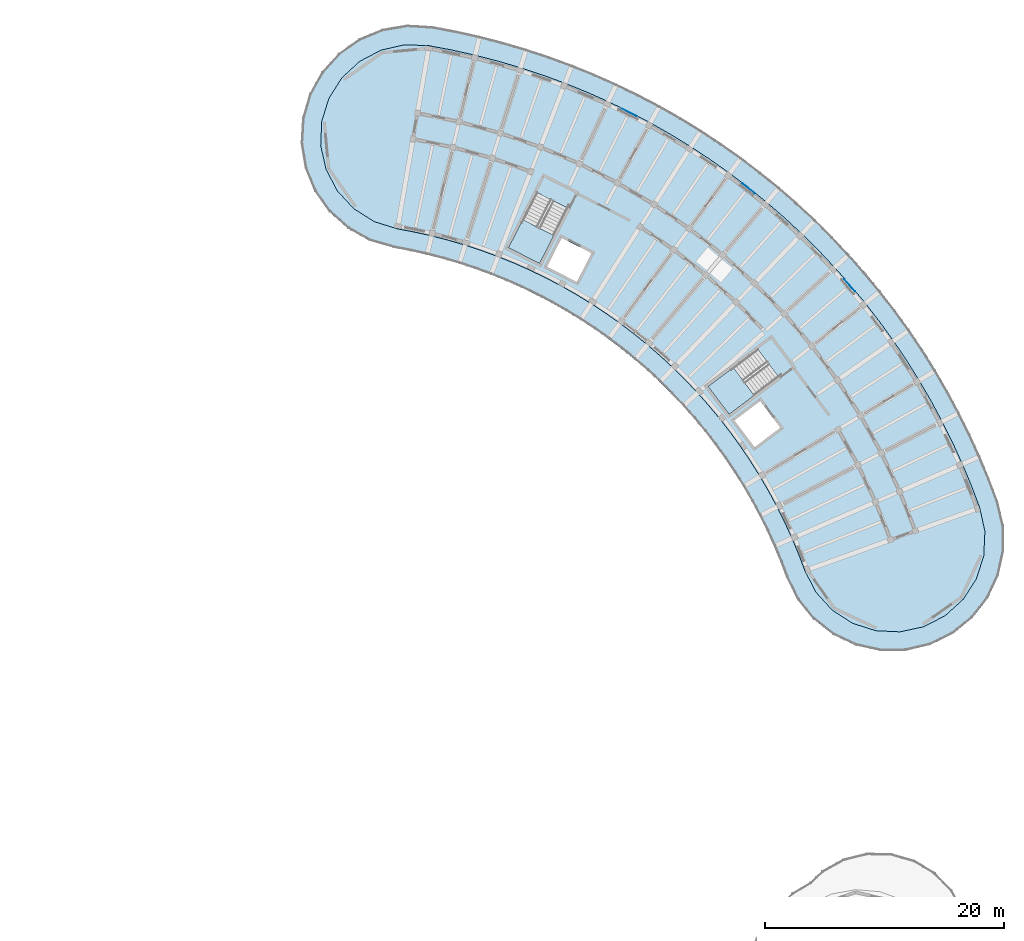
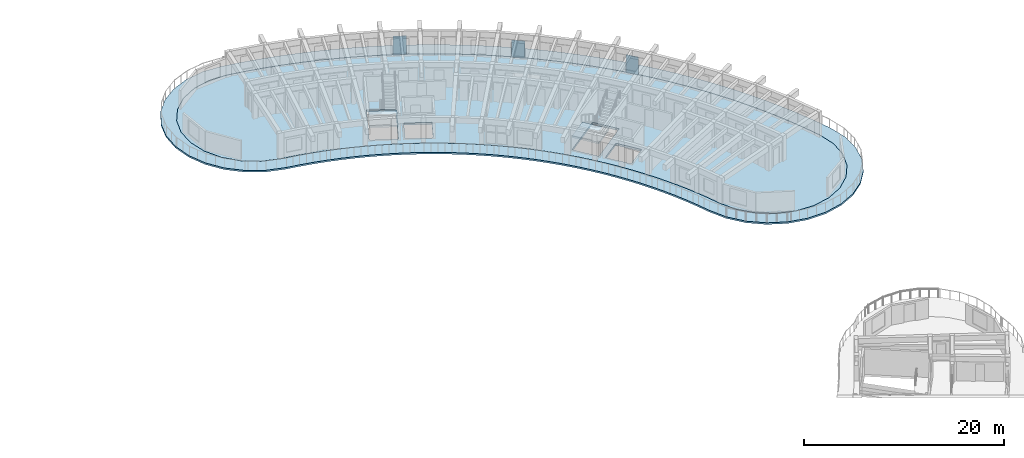
# One storey, part 21 of 56: 4 slabs, 3 plates, 2 elements without a shape of their own.
"""IFC4 building model written with IfcOpenShell, lengths in metres."""

from ifc_helpers import new_model, si_unit, direction, frame, origin, origin_2d, place, context, subcontext, project, spatial, polyline, rectangle, outline, extrude, material, layer, layer_set, type_object, element, aggregate, save


model = new_model("IFC4")

# Units and contexts
model_context = context("Model", 3, precision=1e-05, world=origin(), true_north=direction((0.0, 1.0)))
body_context = subcontext(model_context, "Body", "Model", "MODEL_VIEW")
ifc_project = project(units=[si_unit("LENGTHUNIT", "METRE"), si_unit("AREAUNIT", "SQUARE_METRE"), si_unit("VOLUMEUNIT", "CUBIC_METRE"), si_unit("PLANEANGLEUNIT", "RADIAN"), si_unit("MASSUNIT", "GRAM", prefix="KILO")], contexts=[model_context])

# Site, building, storey
site_placement = place(None, origin())
site = spatial("IfcSite", under=ifc_project, at=site_placement, CompositionType="ELEMENT")
building_placement = place(site_placement, origin())
building = spatial("IfcBuilding", under=site, at=building_placement, Name="Tanwirah Colonnade Gardens", CompositionType="ELEMENT")
storey_placement = place(building_placement, frame((0.0, 0.0, 29.0)))
storey = spatial("IfcBuildingStorey", under=building, at=storey_placement, Name="L08", CompositionType="ELEMENT", Elevation=29.0)

# Plates
ifc_material_1 = material(Name="Laser-cut bronze aluminium solar screen plate", Category="aluminium")
ifc_layer_1 = layer(ifc_material_1, 0.02001953125)
ifc_layer_set_1 = layer_set([ifc_layer_1], Name="Laser-cut bronze aluminium solar screen plate")
plate_type = type_object("IfcPlateType", Name="PLT-SCR20", PredefinedType="SHEET", material=ifc_layer_set_1)
plate_1_placement = place(storey_placement, frame((166.365478515625, 99.05810546875, 0.0), z_axis=(0.0, 0.0, 1.0), x_axis=(-0.650186200632, 0.759774903842, 0.0)))
element("IfcPlate", 1, at=plate_1_placement, inside=storey, type_object=plate_type, Name="Perforated solar screen plate B-L08-06", PredefinedType="SHEET", context=body_context, shape_type="SweptSolid", body=[
    extrude(rectangle(XDim=1.35009765625, YDim=0.02001953125, at=origin_2d()), origin(), (0.0, 0.0, 1.0), 2.18505859375),
])
plate_2_placement = place(storey_placement, frame((157.887939453125, 107.181640625, 0.0), z_axis=(0.0, 0.0, 1.0), x_axis=(-0.786815552397, 0.617188209954, 0.0)))
element("IfcPlate", 2, at=plate_2_placement, inside=storey, type_object=plate_type, Name="Perforated solar screen plate B-L08-09", PredefinedType="SHEET", context=body_context, shape_type="SweptSolid", body=[
    extrude(rectangle(XDim=1.35009765625, YDim=0.02001953125, at=origin_2d()), origin(), (0.0, 0.0, 1.0), 2.10009765625),
])
plate_3_placement = place(storey_placement, frame((147.886962890625, 113.539306640625, 0.0), z_axis=(0.0, 0.0, 1.0), x_axis=(-0.892760337433, 0.450531885561, 0.0)))
element("IfcPlate", 3, at=plate_3_placement, inside=storey, type_object=plate_type, Name="Perforated solar screen plate B-L08-12", PredefinedType="SHEET", context=body_context, shape_type="SweptSolid", body=[
    extrude(rectangle(XDim=1.35009765625, YDim=0.02001953125, at=origin_2d()), origin(), (0.0, 0.0, 1.0), 2.300048828125),
])

# Slab
ifc_material_2 = material(Name="White architectural precast concrete C40/50", Category="concrete")
ifc_layer_2 = layer(ifc_material_2, 0.199951171875)
ifc_layer_set_2 = layer_set([ifc_layer_2], Name="White architectural precast concrete C40/50")
slab_type_1 = type_object("IfcSlabType", Name="SL-BAL-200", PredefinedType="FLOOR", material=ifc_layer_set_2)
slab_1_placement = place(storey_placement, frame((0.0, 0.0, -0.199951171875)))
element("IfcSlab", 4, at=slab_1_placement, inside=storey, type_object=slab_type_1, Name="Block B L08 Continuous White Balcony Ribbon", PredefinedType="FLOOR", context=body_context, shape_type="SweptSolid", body=[
    extrude(outline(polyline([(162.0166015625, 72.72607421875), (163.34326171875, 71.091796875), (165.0, 69.79345703125), (166.904296875, 68.896484375), (168.96044921875, 68.44580078125), (171.065185546875, 68.4638671875), (173.11328125, 68.949951171875), (175.001953125, 69.87939453125), (176.63623046875, 71.205810546875), (177.9345703125, 72.86279296875), (178.83154296875, 74.76708984375), (179.2822265625, 76.8232421875), (179.26416015625, 78.927978515625), (178.778076171875, 80.97607421875), (178.06201171875, 82.869140625), (177.28369140625, 84.73779296875), (176.4443359375, 86.57958984375), (175.544677734375, 88.392822265625), (174.585693359375, 90.17529296875), (173.568603515625, 91.92529296875), (172.494384765625, 93.640869140625), (171.3642578125, 95.320068359375), (170.17919921875, 96.9609375), (168.940673828125, 98.56201171875), (167.650146484375, 100.121337890625), (166.30908203125, 101.63720703125), (164.91845703125, 103.108154296875), (163.48046875, 104.532470703125), (161.99609375, 105.90869140625), (160.467041015625, 107.235107421875), (158.895263671875, 108.510498046875), (157.282470703125, 109.7333984375), (155.6298828125, 110.90234375), (153.93994140625, 112.01611328125), (152.214111328125, 113.07373046875), (150.454345703125, 114.073974609375), (148.66259765625, 115.015380859375), (146.8408203125, 115.8974609375), (144.990966796875, 116.718994140625), (143.114990234375, 117.47900390625), (141.21484375, 118.1767578125), (139.29296875, 118.811767578125), (137.35107421875, 119.3828125), (135.391357421875, 119.8896484375), (133.416259765625, 120.33154296875), (131.427490234375, 120.7080078125), (129.326171875, 120.8310546875), (127.25, 120.4833984375), (125.303466796875, 119.682373046875), (123.583984375, 118.468505859375), (122.177490234375, 116.902099609375), (121.155029296875, 115.062255859375), (120.567626953125, 113.041015625), (120.444580078125, 110.939697265625), (120.792236328125, 108.86376953125), (121.59326171875, 106.9169921875), (122.807373046875, 105.197509765625), (124.37353515625, 103.791259765625), (126.21337890625, 102.7685546875), (128.234619140625, 102.18115234375), (129.614501953125, 101.919921875), (130.98486328125, 101.61328125), (132.344482421875, 101.26171875), (133.69189453125, 100.865478515625), (135.025390625, 100.425048828125), (136.343505859375, 99.94091796875), (137.645263671875, 99.41357421875), (138.9287109375, 98.843505859375), (140.192626953125, 98.231689453125), (141.435791015625, 97.578369140625), (142.65673828125, 96.884521484375), (143.85400390625, 96.150634765625), (145.026611328125, 95.3779296875), (146.173095703125, 94.566650390625), (147.292236328125, 93.71826171875), (148.3828125, 92.83349609375), (149.443603515625, 91.9130859375), (150.473388671875, 90.95849609375), (151.47119140625, 89.97021484375), (152.435791015625, 88.94970703125), (153.366455078125, 87.89794921875), (154.26171875, 86.81591796875), (155.12109375, 85.705078125), (155.943115234375, 84.566650390625), (156.727294921875, 83.401611328125), (157.47265625, 82.21142578125), (158.178466796875, 80.997314453125), (158.84375, 79.760498046875), (159.468017578125, 78.50244140625), (160.05029296875, 77.224609375), (160.590087890625, 75.92822265625), (161.087158203125, 74.61474609375), (162.0166015625, 72.72607421875)]), holes=[polyline([(163.54248046875, 73.35791015625), (162.611083984375, 75.164306640625), (162.095947265625, 76.52587890625), (162.095703125, 76.526611328125), (161.535400390625, 77.87158203125), (161.53515625, 77.872314453125), (160.930908203125, 79.1982421875), (160.9306640625, 79.19873046875), (160.282958984375, 80.504150390625), (160.28271484375, 80.504638671875), (159.59228515625, 81.787841796875), (159.592041015625, 81.788330078125), (158.85986328125, 83.048095703125), (158.859619140625, 83.048828125), (158.086181640625, 84.28369140625), (158.0859375, 84.2841796875), (157.272216796875, 85.492919921875), (157.271728515625, 85.493408203125), (156.418701171875, 86.6748046875), (156.41845703125, 86.67529296875), (155.52685546875, 87.827880859375), (155.526611328125, 87.828369140625), (154.597412109375, 88.950927734375), (154.59716796875, 88.951416015625), (153.631591796875, 90.042724609375), (153.631103515625, 90.043212890625), (152.630126953125, 91.10205078125), (152.629638671875, 91.1025390625), (151.594482421875, 92.1279296875), (151.593994140625, 92.12841796875), (150.525390625, 93.118896484375), (150.52490234375, 93.119384765625), (149.42431640625, 94.07421875), (149.423828125, 94.07470703125), (148.292236328125, 94.99267578125), (148.291748046875, 94.9931640625), (147.130615234375, 95.87353515625), (147.130126953125, 95.873779296875), (145.940673828125, 96.71533203125), (145.940185546875, 96.7158203125), (144.723388671875, 97.517578125), (144.722900390625, 97.51806640625), (143.48046875, 98.279296875), (143.47998046875, 98.279541015625), (142.213134765625, 98.99951171875), (142.212646484375, 99.0), (140.9228515625, 99.677734375), (140.922119140625, 99.677978515625), (139.61083984375, 100.31298828125), (139.610107421875, 100.313232421875), (138.2783203125, 100.904541015625), (138.27783203125, 100.90478515625), (136.92724609375, 101.451904296875), (136.9267578125, 101.4521484375), (135.55908203125, 101.95458984375), (135.558349609375, 101.954833984375), (134.1748046875, 102.411865234375), (134.174072265625, 102.411865234375), (132.7763671875, 102.822998046875), (132.775634765625, 102.8232421875), (131.364990234375, 103.18798828125), (131.3642578125, 103.188232421875), (129.9423828125, 103.50634765625), (129.941650390625, 103.506591796875), (128.51123046875, 103.77734375), (126.570556640625, 104.381103515625), (124.853515625, 105.465576171875), (123.4755859375, 106.95751953125), (122.53076171875, 108.75537109375), (122.08349609375, 110.736572265625), (122.164306640625, 112.765869140625), (122.767333984375, 114.705078125), (123.85205078125, 116.42236328125), (125.343994140625, 117.800048828125), (127.141845703125, 118.744873046875), (129.122802734375, 119.192138671875), (131.1533203125, 119.111328125), (133.088623046875, 118.744873046875), (135.01171875, 118.314697265625), (136.919677734375, 117.8212890625), (138.810302734375, 117.26513671875), (140.681640625, 116.647216796875), (142.531494140625, 115.9677734375), (144.35791015625, 115.227783203125), (146.158935546875, 114.427978515625), (147.932861328125, 113.5693359375), (149.67724609375, 112.652587890625), (151.390625, 111.6787109375), (153.07080078125, 110.649169921875), (154.71630859375, 109.564453125), (156.3251953125, 108.42626953125), (157.8955078125, 107.23583984375), (159.42578125, 105.994140625), (160.914306640625, 104.70263671875), (162.359619140625, 103.36279296875), (163.759765625, 101.97607421875), (165.113525390625, 100.5439453125), (166.41943359375, 99.068115234375), (167.67578125, 97.5498046875), (168.881591796875, 95.990966796875), (170.035400390625, 94.393310546875), (171.1357421875, 92.758544921875), (172.181640625, 91.08837890625), (173.171875, 89.384521484375), (174.10546875, 87.64892578125), (174.9814453125, 85.883544921875), (175.798828125, 84.09033203125), (176.556396484375, 82.271240234375), (177.253173828125, 80.428955078125), (177.685302734375, 78.443359375), (177.5888671875, 76.414794921875), (176.970703125, 74.480224609375), (175.872802734375, 72.771484375), (174.3701171875, 71.4052734375), (172.565185546875, 70.474365234375), (170.58056640625, 70.04248046875), (168.552001953125, 70.13916015625), (166.617431640625, 70.75732421875), (164.90869140625, 71.855224609375), (163.54248046875, 73.35791015625)])]), origin(), (0.0, 0.0, 1.0), 0.199951171875),
])

# Stair, slab
ifc_material_3 = material(Name="Precast concrete C40/50", Category="concrete")
stair_type = type_object("IfcStairType", Name="ST-RES168", PredefinedType="HALF_TURN_STAIR", material=ifc_material_3)
stair_1_placement = place(storey_placement, origin())
stair_1 = element("IfcStair", 5, at=stair_1_placement, inside=storey, type_object=stair_type, Name="L08 Block B Core 1 Exit Stair", PredefinedType="HALF_TURN_STAIR")
ifc_layer_3 = layer(ifc_material_3, 0.205078125)
ifc_layer_set_3 = layer_set([ifc_layer_3], Name="Precast concrete C40/50")
slab_type_2 = type_object("IfcSlabType", Name="SL-LND-205", PredefinedType="LANDING", material=ifc_layer_set_3)
slab_2_placement = place(storey_placement, frame((0.0, 0.0, 1.47509765625)))
slab_2 = element("IfcSlab", 6, at=slab_2_placement, type_object=slab_type_2, Name="ST-B1 landing 1", PredefinedType="LANDING", context=body_context, shape_type="SweptSolid", body=[
    extrude(outline(polyline([(156.615478515625, 92.171875), (154.510986328125, 90.586181640625), (156.268310546875, 88.254150390625), (158.372802734375, 89.83984375), (156.615478515625, 92.171875)])), origin(), (0.0, 0.0, 1.0), 0.204833984375),
])
aggregate(stair_1, [slab_2])

stair_2_placement = place(storey_placement, origin())
stair_2 = element("IfcStair", 7, at=stair_2_placement, inside=storey, type_object=stair_type, Name="L08 Block B Core 2 Exit Stair", PredefinedType="HALF_TURN_STAIR")
slab_3_placement = place(storey_placement, frame((0.0, 0.0, 1.47509765625)))
slab_3 = element("IfcSlab", 8, at=slab_3_placement, type_object=slab_type_2, Name="ST-B2 landing 1", PredefinedType="LANDING", context=body_context, shape_type="SweptSolid", body=[
    extrude(outline(polyline([(138.995361328125, 104.549072265625), (137.799072265625, 102.201171875), (140.40087890625, 100.87548828125), (141.59716796875, 103.223388671875), (138.995361328125, 104.549072265625)])), origin(), (0.0, 0.0, 1.0), 0.204833984375),
])
aggregate(stair_2, [slab_3])

# Slab
ifc_layer_4 = layer(ifc_material_3, 0.25)
ifc_layer_set_4 = layer_set([ifc_layer_4], Name="Precast concrete C40/50")
slab_type_3 = type_object("IfcSlabType", Name="SL-RES-250", PredefinedType="FLOOR", material=ifc_layer_set_4)
slab_4_placement = place(storey_placement, frame((0.0, 0.0, -0.25)))
element("IfcSlab", 9, at=slab_4_placement, inside=storey, type_object=slab_type_3, Name="Block B L08 Precast Composite Floor Slab", PredefinedType="FLOOR", context=body_context, shape_type="SweptSolid", body=[
    extrude(outline(polyline([(161.516845703125, 77.864013671875), (162.0771484375, 76.518798828125), (162.5927734375, 75.156005859375), (163.52587890625, 73.346435546875), (164.895751953125, 71.83984375), (166.60888671875, 70.739013671875), (168.54833984375, 70.119140625), (170.582275390625, 70.0224609375), (172.572021484375, 70.45556640625), (174.381591796875, 71.388671875), (175.88818359375, 72.758544921875), (176.989013671875, 74.4716796875), (177.60888671875, 76.4111328125), (177.70556640625, 78.445068359375), (177.2724609375, 80.434814453125), (176.574951171875, 82.278564453125), (175.817138671875, 84.098388671875), (174.99951171875, 85.892333984375), (174.123291015625, 87.658203125), (173.189453125, 89.394287109375), (172.19873046875, 91.0986328125), (171.152587890625, 92.76953125), (170.0517578125, 94.40478515625), (168.897705078125, 96.0029296875), (167.69140625, 97.562255859375), (166.4345703125, 99.0810546875), (165.12841796875, 100.5576171875), (163.774169921875, 101.990234375), (162.37353515625, 103.377197265625), (160.927734375, 104.717529296875), (159.438720703125, 106.009521484375), (157.907958984375, 107.25146484375), (156.3369140625, 108.442626953125), (154.7275390625, 109.5810546875), (153.08154296875, 110.666015625), (151.400634765625, 111.696044921875), (149.686767578125, 112.669921875), (147.94189453125, 113.587158203125), (146.16748046875, 114.446044921875), (144.36572265625, 115.24609375), (142.53857421875, 115.986328125), (140.688232421875, 116.666015625), (138.816162109375, 117.284423828125), (136.925048828125, 117.840576171875), (135.016357421875, 118.334228515625), (133.092529296875, 118.7646484375), (131.15576171875, 119.13134765625), (129.12109375, 119.212158203125), (127.134765625, 118.763916015625), (125.332275390625, 117.816650390625), (123.83642578125, 116.43505859375), (122.7490234375, 114.713623046875), (122.144287109375, 112.769287109375), (122.0634765625, 110.734619140625), (122.51171875, 108.74853515625), (123.458984375, 106.946044921875), (124.840576171875, 105.4501953125), (126.56201171875, 104.36279296875), (128.50634765625, 103.758056640625), (129.93798828125, 103.48681640625), (131.35986328125, 103.168701171875), (132.770751953125, 102.803955078125), (134.16845703125, 102.392822265625), (135.552001953125, 101.935791015625), (136.919921875, 101.433349609375), (138.270263671875, 100.88623046875), (139.60205078125, 100.294921875), (140.91357421875, 99.659912109375), (142.203369140625, 98.982177734375), (143.47021484375, 98.26220703125), (144.71240234375, 97.5009765625), (145.92919921875, 96.698974609375), (147.11865234375, 95.857421875), (148.27978515625, 94.977294921875), (149.4111328125, 94.05908203125), (150.51171875, 93.104248046875), (151.580322265625, 92.11376953125), (152.61572265625, 91.08837890625), (153.61669921875, 90.029541015625), (154.58203125, 88.938232421875), (155.510986328125, 87.815673828125), (156.402587890625, 86.6630859375), (157.255615234375, 85.48193359375), (158.0693359375, 84.27294921875), (158.842529296875, 83.0380859375), (159.57470703125, 81.7783203125), (160.26513671875, 80.4951171875), (160.91259765625, 79.18994140625), (161.516845703125, 77.864013671875)]), holes=[polyline([(160.4169921875, 91.38427734375), (156.2666015625, 88.256591796875), (154.512939453125, 90.583740234375), (158.663330078125, 93.71142578125), (160.4169921875, 91.38427734375)]), polyline([(158.402587890625, 85.5048828125), (156.717529296875, 87.7412109375), (158.873779296875, 89.365966796875), (160.558837890625, 87.1298828125), (158.402587890625, 85.5048828125)]), polyline([(137.8017578125, 102.199951171875), (140.1611328125, 106.830322265625), (142.757568359375, 105.507568359375), (140.398193359375, 100.876953125), (137.8017578125, 102.199951171875)]), polyline([(142.255126953125, 103.01708984375), (144.75, 101.745849609375), (143.524169921875, 99.34033203125), (141.029541015625, 100.611328125), (142.255126953125, 103.01708984375)])]), origin(), (0.0, 0.0, 1.0), 0.25),
])

save(model, "model.ifc")
